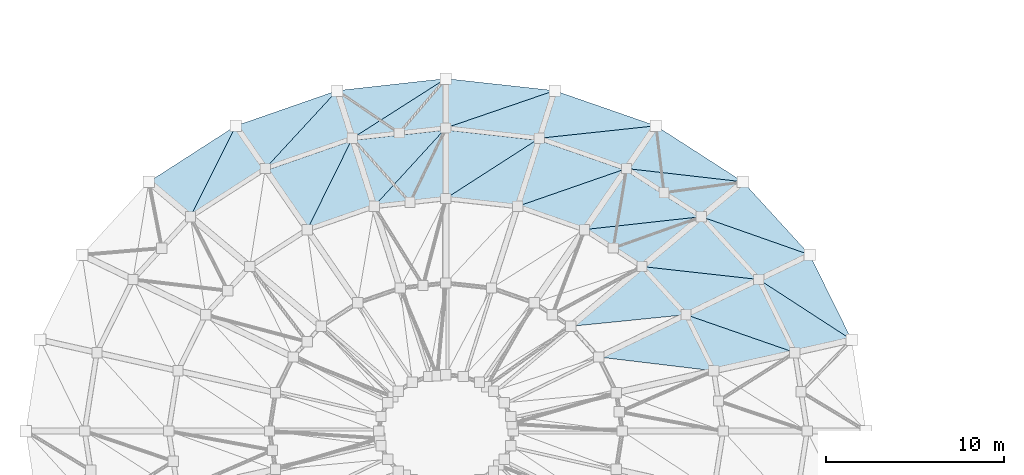
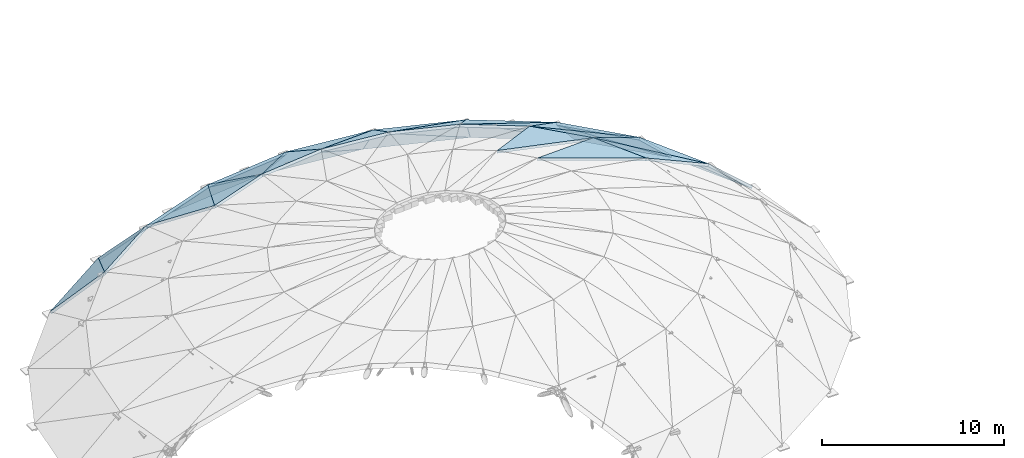
# One storey, part 8 of 11: 32 slabs.
"""IFC4 building model written with IfcOpenShell, lengths in metres."""

from ifc_helpers import new_model, si_unit, direction, frame, origin, place, context, subcontext, project, spatial, polyline, outline, extrude, material, layer, layer_set, type_object, element, save


model = new_model("IFC4")

# Units and contexts
model_context = context("Model", 3, precision=1e-05, world=origin(), true_north=direction((0.0, 1.0)))
body_context = subcontext(model_context, "Body", "Model", "MODEL_VIEW")
ifc_project = project(units=[si_unit("LENGTHUNIT", "METRE"), si_unit("AREAUNIT", "SQUARE_METRE"), si_unit("VOLUMEUNIT", "CUBIC_METRE"), si_unit("PLANEANGLEUNIT", "RADIAN"), si_unit("MASSUNIT", "GRAM", prefix="KILO")], contexts=[model_context])

# Site, building, storey
site_placement = place(None, origin())
site = spatial("IfcSite", under=ifc_project, at=site_placement, CompositionType="ELEMENT")
building_placement = place(site_placement, origin())
building = spatial("IfcBuilding", under=site, at=building_placement, Name="Parian Resonance Hall", CompositionType="ELEMENT")
storey_placement = place(building_placement, frame((0.0, 0.0, 27.60009765625)))
storey = spatial("IfcBuildingStorey", under=building, at=storey_placement, Name="ROOF", CompositionType="ELEMENT", Elevation=27.60009765625)

# Slabs
ifc_material = material(Name="Concrete C35/45", Category="concrete")
ifc_layer = layer(ifc_material, 0.159912109375)
ifc_layer_set = layer_set([ifc_layer], Name="Concrete C35/45")
slab_type = type_object("IfcSlabType", Name="SLB-DOME-160", PredefinedType="ROOF", material=ifc_layer_set)
slab_1_placement = place(storey_placement, frame((66.7958984375, 49.12451171875, -6.489990234375), z_axis=(0.619669601873, 0.305938105587, 0.722780367791), x_axis=(-0.442697046574, 0.896671246865, 0.0)))
element("IfcSlab", 1, at=slab_1_placement, inside=storey, type_object=slab_type, Name="Main Concert Hall dome roof panel R1-02A", PredefinedType="ROOF", context=body_context, shape_type="SweptSolid", body=[
    extrude(outline(polyline([(0.0, 0.0), (5.325687247911857, -2.220446049250313e-16), (5.349614669149024, 4.398629034851133), (0.0, 0.0)])), origin(), (0.0, 0.0, -1.0), 0.159912109375),
])
slab_2_placement = place(storey_placement, frame((66.7958984375, 49.12451171875, -6.489990234375), z_axis=(0.619672754495, 0.305949838064, 0.722772698658), x_axis=(-0.753561382071, 0.489390123371, 0.43891064079)))
element("IfcSlab", 2, at=slab_2_placement, inside=storey, type_object=slab_type, Name="Main Concert Hall dome roof panel R1-02B", PredefinedType="ROOF", context=body_context, shape_type="SweptSolid", body=[
    extrude(outline(polyline([(0.0, 0.0), (6.925771761660201, 0.0), (3.388086570421104, 2.908744472500953), (0.0, 0.0)])), origin(), (0.0, 0.0, -1.0), 0.159912109375),
])
slab_3_placement = place(storey_placement, frame((64.438232421875, 53.89990234375, -6.489990234375), z_axis=(0.52117244389, 0.476647680124, 0.707945105754), x_axis=(-0.674882684077, 0.737925038695, 0.0)))
element("IfcSlab", 3, at=slab_3_placement, inside=storey, type_object=slab_type, Name="Main Concert Hall dome roof panel R1-03A", PredefinedType="ROOF", context=body_context, shape_type="SweptSolid", body=[
    extrude(outline(polyline([(0.0, 0.0), (5.557244791931365, -2.220446049250313e-16), (5.6875736862013655, 4.304027988520998), (0.0, 0.0)])), origin(), (0.0, 0.0, -1.0), 0.159912109375),
])
slab_4_placement = place(storey_placement, frame((64.438232421875, 53.89990234375, -6.489990234375), z_axis=(0.521172881275, 0.476686473341, 0.707918663377), x_axis=(-0.853400415025, 0.300120922467, 0.426186770715)))
element("IfcSlab", 4, at=slab_4_placement, inside=storey, type_object=slab_type, Name="Main Concert Hall dome roof panel R1-03B", PredefinedType="ROOF", context=body_context, shape_type="SweptSolid", body=[
    extrude(outline(polyline([(0.0, 0.0), (7.13254171820553, 4.440892098500626e-16), (3.321415495465745, 2.8838704919261735), (0.0, 0.0)])), origin(), (0.0, 0.0, -1.0), 0.159912109375),
])
slab_5_placement = place(storey_placement, frame((60.687744140625, 58.000732421875, -6.489990234375), z_axis=(0.390828024335, 0.607105605772, 0.691864321117), x_axis=(-0.840834423093, 0.541292409832, 0.0)))
element("IfcSlab", 5, at=slab_5_placement, inside=storey, type_object=slab_type, Name="Main Concert Hall dome roof panel R1-04A", PredefinedType="ROOF", context=body_context, shape_type="SweptSolid", body=[
    extrude(outline(polyline([(0.0, 0.0), (5.812910578183155, 0.0), (5.902607422714244, 4.21008171421442), (0.0, 0.0)])), origin(), (0.0, 0.0, -1.0), 0.159912109375),
])
slab_6_placement = place(storey_placement, frame((60.687744140625, 58.000732421875, -6.489990234375), z_axis=(0.390832225607, 0.607087552172, 0.691877789371), x_axis=(-0.902014402417, 0.102872811415, 0.419269844495)))
element("IfcSlab", 6, at=slab_6_placement, inside=storey, type_object=slab_type, Name="Main Concert Hall dome roof panel R1-04B", PredefinedType="ROOF", context=body_context, shape_type="SweptSolid", body=[
    extrude(outline(polyline([(0.0, 0.0), (7.250211198788897, 2.220446049250313e-16), (3.1803322417215805, 2.9029518388908793), (0.0, 0.0)])), origin(), (0.0, 0.0, -1.0), 0.159912109375),
])
slab_7_placement = place(storey_placement, frame((55.800048828125, 61.147216796875, -6.489990234375), z_axis=(0.241052395654, 0.693642995837, 0.678787991111), x_axis=(-0.944587494416, 0.328259752928, 0.0)))
element("IfcSlab", 7, at=slab_7_placement, inside=storey, type_object=slab_type, Name="Main Concert Hall dome roof panel R1-05A", PredefinedType="ROOF", context=body_context, shape_type="SweptSolid", body=[
    extrude(outline(polyline([(0.0, 0.0), (6.025799160899435, 0.0), (5.954721349029344, 4.139524634468421), (0.0, 0.0)])), origin(), (0.0, 0.0, -1.0), 0.159912109375),
])
slab_8_placement = place(storey_placement, frame((55.800048828125, 61.147216796875, -6.489990234375), z_axis=(0.241058389175, 0.693630984924, 0.678798136239), x_axis=(-0.902777264177, -0.09644840444, 0.419155003031)))
element("IfcSlab", 8, at=slab_8_placement, inside=storey, type_object=slab_type, Name="Main Concert Hall dome roof panel R1-05B", PredefinedType="ROOF", context=body_context, shape_type="SweptSolid", body=[
    extrude(outline(polyline([(0.0, 0.0), (7.252197635472765, -4.440892098500626e-16), (2.9971606079785453, 2.9580165405661853), (0.0, 0.0)])), origin(), (0.0, 0.0, -1.0), 0.159912109375),
])
slab_9_placement = place(storey_placement, frame((50.108154296875, 63.125244140625, -6.489990234375), z_axis=(0.081361000053, 0.7364583431, 0.671572406036), x_axis=(-0.993952820696, 0.109807969799, 0.0)))
element("IfcSlab", 9, at=slab_9_placement, inside=storey, type_object=slab_type, Name="Main Concert Hall dome roof panel R1-06A", PredefinedType="ROOF", context=body_context, shape_type="SweptSolid", body=[
    extrude(outline(polyline([(0.0, 0.0), (6.145316125367718, -5.551115123125783e-17), (5.840931435646422, 4.1026254441172165), (0.0, 0.0)])), origin(), (0.0, 0.0, -1.0), 0.159912109375),
])
slab_10_placement = place(storey_placement, frame((50.108154296875, 63.125244140625, -6.489990234375), z_axis=(0.081360926314, 0.736458431038, 0.671572318535), x_axis=(-0.855748925928, -0.293812033803, 0.425873531186)))
element("IfcSlab", 10, at=slab_10_placement, inside=storey, type_object=slab_type, Name="Main Concert Hall dome roof panel R1-06B", PredefinedType="ROOF", context=body_context, shape_type="SweptSolid", body=[
    extrude(outline(polyline([(0.0, 0.0), (7.137787862541207, -2.220446049250313e-16), (2.813104589609881, 3.0376238777417743), (0.0, 0.0)])), origin(), (0.0, 0.0, -1.0), 0.159912109375),
])
slab_11_placement = place(storey_placement, frame((44.0, 63.800048828125, -6.489990234375), z_axis=(-0.081361007933, 0.736458414425, 0.671572326865), x_axis=(-0.993952820696, -0.109807969799, 0.0)))
element("IfcSlab", 11, at=slab_11_placement, inside=storey, type_object=slab_type, Name="Main Concert Hall dome roof panel R1-07A", PredefinedType="ROOF", context=body_context, shape_type="SweptSolid", body=[
    extrude(outline(polyline([(0.0, 0.0), (6.145316125367718, -5.551115123125783e-17), (5.589272979344704, 4.1026250467806555), (0.0, 0.0)])), origin(), (0.0, 0.0, -1.0), 0.159912109375),
])
slab_12_placement = place(storey_placement, frame((44.0, 63.800048828125, -6.489990234375), z_axis=(-0.081360917152, 0.7364583481, 0.671572410596), x_axis=(-0.75763098785, -0.483502095843, 0.43843016498)))
element("IfcSlab", 12, at=slab_12_placement, inside=storey, type_object=slab_type, Name="Main Concert Hall dome roof panel R1-07B", PredefinedType="ROOF", context=body_context, shape_type="SweptSolid", body=[
    extrude(outline(polyline([(0.0, 0.0), (6.933361717962276, -2.220446049250313e-16), (2.6729923780216516, 3.127186806235418), (0.0, 0.0)])), origin(), (0.0, 0.0, -1.0), 0.159912109375),
])
slab_13_placement = place(storey_placement, frame((37.891845703125, 63.125244140625, -6.489990234375), z_axis=(-0.241049716634, 0.693635286794, 0.678796820135), x_axis=(-0.944587494416, -0.328259752928, 0.0)))
element("IfcSlab", 13, at=slab_13_placement, inside=storey, type_object=slab_type, Name="Main Concert Hall dome roof panel R1-08A", PredefinedType="ROOF", context=body_context, shape_type="SweptSolid", body=[
    extrude(outline(polyline([(0.0, 0.0), (6.025799160899435, 0.0), (5.253278305387904, 4.139570641030444), (0.0, 0.0)])), origin(), (0.0, 0.0, -1.0), 0.159912109375),
])
slab_14_placement = place(storey_placement, frame((37.891845703125, 63.125244140625, -6.489990234375), z_axis=(-0.241061504421, 0.693639948859, 0.678787869981), x_axis=(-0.60401178601, -0.654677668586, 0.454496328495)))
element("IfcSlab", 14, at=slab_14_placement, inside=storey, type_object=slab_type, Name="Main Concert Hall dome roof panel R1-08B", PredefinedType="ROOF", context=body_context, shape_type="SweptSolid", body=[
    extrude(outline(polyline([(0.0, 0.0), (6.688271678538515, -2.220446049250313e-16), (2.6179029519247647, 3.207382170714109), (0.0, 0.0)])), origin(), (0.0, 0.0, -1.0), 0.159912109375),
])
slab_15_placement = place(storey_placement, frame((32.199951171875, 61.147216796875, -6.489990234375), z_axis=(-0.390822107774, 0.607096415087, 0.691875727904), x_axis=(-0.840834423093, -0.541292409832, 0.0)))
element("IfcSlab", 15, at=slab_15_placement, inside=storey, type_object=slab_type, Name="Main Concert Hall dome roof panel R1-09A", PredefinedType="ROOF", context=body_context, shape_type="SweptSolid", body=[
    extrude(outline(polyline([(0.0, 0.0), (5.812910578183155, 2.220446049250313e-16), (4.909407484807627, 4.2101454496150845), (0.0, 0.0)])), origin(), (0.0, 0.0, -1.0), 0.159912109375),
])
slab_16_placement = place(storey_placement, frame((32.199951171875, 61.147216796875, -6.489990234375), z_axis=(-0.390839105515, 0.607098238871, 0.691864525728), x_axis=(-0.394479859951, -0.789601457473, 0.470016147009)))
element("IfcSlab", 16, at=slab_16_placement, inside=storey, type_object=slab_type, Name="Main Concert Hall dome roof panel R1-09B", PredefinedType="ROOF", context=body_context, shape_type="SweptSolid", body=[
    extrude(outline(polyline([(0.0, 0.0), (6.467426579312651, -4.440892098500626e-16), (2.6725773841452654, 3.2542531693211445), (0.0, 0.0)])), origin(), (0.0, 0.0, -1.0), 0.159912109375),
])
slab_17_placement = place(storey_placement, frame((63.6044921875, 48.4072265625, -3.4501953125), z_axis=(0.445487850061, 0.219949859982, 0.867849430801), x_axis=(-0.442708885431, 0.896665401786, 0.0)))
element("IfcSlab", 17, at=slab_17_placement, inside=storey, type_object=slab_type, Name="Main Concert Hall dome roof panel R2-02A", PredefinedType="ROOF", context=body_context, shape_type="SweptSolid", body=[
    extrude(outline(polyline([(0.0, 0.0), (4.579957523669543, 0.0), (4.614214960262486, 5.233403356127788), (0.0, 0.0)])), origin(), (0.0, 0.0, -1.0), 0.159912109375),
])
slab_18_placement = place(storey_placement, frame((63.6044921875, 48.4072265625, -3.4501953125), z_axis=(0.445487627997, 0.219948732832, 0.867849830459), x_axis=(-0.87647613427, 0.304814101151, 0.372663319625)))
element("IfcSlab", 18, at=slab_18_placement, inside=storey, type_object=slab_type, Name="Main Concert Hall dome roof panel R2-02B", PredefinedType="ROOF", context=body_context, shape_type="SweptSolid", body=[
    extrude(outline(polyline([(0.0, 0.0), (6.9770688965667915, -1.1102230246251565e-16), (4.652408514316593, 2.6366185010433854), (0.0, 0.0)])), origin(), (0.0, 0.0, -1.0), 0.159912109375),
])
slab_19_placement = place(storey_placement, frame((61.576904296875, 52.513916015625, -3.4501953125), z_axis=(0.378427647117, 0.346125723344, 0.858480925552), x_axis=(-0.674912283642, 0.737897966788, 0.0)))
element("IfcSlab", 19, at=slab_19_placement, inside=storey, type_object=slab_type, Name="Main Concert Hall dome roof panel R2-03A", PredefinedType="ROOF", context=body_context, shape_type="SweptSolid", body=[
    extrude(outline(polyline([(0.0, 0.0), (4.779266899834884, 0.0), (4.965570399905479, 5.069943458447083), (0.0, 0.0)])), origin(), (0.0, 0.0, -1.0), 0.159912109375),
])
slab_20_placement = place(storey_placement, frame((61.576904296875, 52.513916015625, -3.4501953125), z_axis=(0.37842863285, 0.346102102514, 0.858490014196), x_axis=(-0.924812145276, 0.102382298354, 0.366388265278)))
element("IfcSlab", 20, at=slab_20_placement, inside=storey, type_object=slab_type, Name="Main Concert Hall dome roof panel R2-03B", PredefinedType="ROOF", context=body_context, shape_type="SweptSolid", body=[
    extrude(outline(polyline([(0.0, 0.0), (7.096563680279902, 1.1102230246251565e-16), (4.530235433086178, 2.6204295794205206), (0.0, 0.0)])), origin(), (0.0, 0.0, -1.0), 0.159912109375),
])
slab_21_placement = place(storey_placement, frame((58.351318359375, 56.04052734375, -3.4501953125), z_axis=(0.286852143249, 0.445573200138, 0.848045029012), x_axis=(-0.84082444834, 0.54130790413, 0.0)))
element("IfcSlab", 21, at=slab_21_placement, inside=storey, type_object=slab_type, Name="Main Concert Hall dome roof panel R2-04A", PredefinedType="ROOF", context=body_context, shape_type="SweptSolid", body=[
    extrude(outline(polyline([(0.0, 0.0), (4.999104330187486, 0.0), (5.126950274607668, 4.906546616295962), (0.0, 0.0)])), origin(), (0.0, 0.0, -1.0), 0.159912109375),
])
slab_22_placement = place(storey_placement, frame((58.351318359375, 56.04052734375, -3.4501953125), z_axis=(0.286849115746, 0.445583983818, 0.848040387104), x_axis=(-0.924859377949, -0.101936477955, 0.366393348032)))
element("IfcSlab", 22, at=slab_22_placement, inside=storey, type_object=slab_type, Name="Main Concert Hall dome roof panel R2-04B", PredefinedType="ROOF", context=body_context, shape_type="SweptSolid", body=[
    extrude(outline(polyline([(0.0, 0.0), (7.096465233916461, -1.1102230246251565e-16), (4.324713456730808, 2.6525250579703097), (0.0, 0.0)])), origin(), (0.0, 0.0, -1.0), 0.159912109375),
])
slab_23_placement = place(storey_placement, frame((54.14794921875, 58.74658203125, -3.4501953125), z_axis=(0.178471496196, 0.513540972838, 0.839299466378), x_axis=(-0.944583201085, 0.328272106991, 0.0)))
element("IfcSlab", 23, at=slab_23_placement, inside=storey, type_object=slab_type, Name="Main Concert Hall dome roof panel R2-05A", PredefinedType="ROOF", context=body_context, shape_type="SweptSolid", body=[
    extrude(outline(polyline([(0.0, 0.0), (5.182200493961035, 0.0), (5.080323212419897, 4.782497789224821), (0.0, 0.0)])), origin(), (0.0, 0.0, -1.0), 0.159912109375),
])
slab_24_placement = place(storey_placement, frame((54.14794921875, 58.74658203125, -3.4501953125), z_axis=(0.178482549537, 0.513521127472, 0.839309258349), x_axis=(-0.876628775796, -0.304386449553, 0.372653832364)))
element("IfcSlab", 24, at=slab_24_placement, inside=storey, type_object=slab_type, Name="Main Concert Hall dome roof panel R2-05B", PredefinedType="ROOF", context=body_context, shape_type="SweptSolid", body=[
    extrude(outline(polyline([(0.0, 0.0), (6.977246523277841, 0.0), (4.081536503512632, 2.726096853357181), (0.0, 0.0)])), origin(), (0.0, 0.0, -1.0), 0.159912109375),
])
slab_25_placement = place(storey_placement, frame((49.2529296875, 60.44775390625, -3.4501953125), z_axis=(0.060524548482, 0.547852833459, 0.834382437436), x_axis=(-0.993952832989, 0.109807858525, 0.0)))
element("IfcSlab", 25, at=slab_25_placement, inside=storey, type_object=slab_type, Name="Main Concert Hall dome roof panel R2-06A", PredefinedType="ROOF", context=body_context, shape_type="SweptSolid", body=[
    extrude(outline(polyline([(0.0, 0.0), (5.284888289623441, 0.0), (4.850053459235713, 4.717278571257404), (0.0, 0.0)])), origin(), (0.0, 0.0, -1.0), 0.159912109375),
])
slab_26_placement = place(storey_placement, frame((49.2529296875, 60.44775390625, -3.4501953125), z_axis=(0.060515975073, 0.547862004592, 0.834377037487), x_axis=(-0.776397129933, -0.499519681616, 0.384301423768)))
element("IfcSlab", 26, at=slab_26_placement, inside=storey, type_object=slab_type, Name="Main Concert Hall dome roof panel R2-06B", PredefinedType="ROOF", context=body_context, shape_type="SweptSolid", body=[
    extrude(outline(polyline([(0.0, 0.0), (6.765776797699479, 0.0), (3.8581786757970504, 2.8279182078093124), (0.0, 0.0)])), origin(), (0.0, 0.0, -1.0), 0.159912109375),
])
slab_27_placement = place(storey_placement, frame((44.0, 61.028076171875, -3.4501953125), z_axis=(-0.060525299127, 0.547859628106, 0.834377921602), x_axis=(-0.993952832989, -0.109807858525, 0.0)))
element("IfcSlab", 27, at=slab_27_placement, inside=storey, type_object=slab_type, Name="Main Concert Hall dome roof panel R2-07A", PredefinedType="ROOF", context=body_context, shape_type="SweptSolid", body=[
    extrude(outline(polyline([(0.0, 0.0), (5.284888289623441, 0.0), (4.490848664638484, 4.717220066775373), (0.0, 0.0)])), origin(), (0.0, 0.0, -1.0), 0.159912109375),
])
slab_28_placement = place(storey_placement, frame((44.0, 61.028076171875, -3.4501953125), z_axis=(-0.060514997153, 0.547853151306, 0.83438292152), x_axis=(-0.618986646287, -0.676375888427, 0.399213212799)))
element("IfcSlab", 28, at=slab_28_placement, inside=storey, type_object=slab_type, Name="Main Concert Hall dome roof panel R2-07B", PredefinedType="ROOF", context=body_context, shape_type="SweptSolid", body=[
    extrude(outline(polyline([(0.0, 0.0), (6.513055111625689, -1.1102230246251565e-16), (3.716415436180972, 2.937695483585462), (0.0, 0.0)])), origin(), (0.0, 0.0, -1.0), 0.159912109375),
])
slab_29_placement = place(storey_placement, frame((38.7470703125, 60.44775390625, -3.4501953125), z_axis=(-0.17846761139, 0.513529794543, 0.839307131985), x_axis=(-0.944583201085, -0.328272106991, 0.0)))
element("IfcSlab", 29, at=slab_29_placement, inside=storey, type_object=slab_type, Name="Main Concert Hall dome roof panel R2-08A", PredefinedType="ROOF", context=body_context, shape_type="SweptSolid", body=[
    extrude(outline(polyline([(0.0, 0.0), (5.182200493961035, 0.0), (4.078903879021692, 4.782601892574108), (0.0, 0.0)])), origin(), (0.0, 0.0, -1.0), 0.159912109375),
])
slab_30_placement = place(storey_placement, frame((38.7470703125, 60.44775390625, -3.4501953125), z_axis=(-0.178487612003, 0.513535692949, 0.839299269885), x_axis=(-0.403317588851, -0.816228729748, 0.413649106439)))
element("IfcSlab", 30, at=slab_30_placement, inside=storey, type_object=slab_type, Name="Main Concert Hall dome roof panel R2-08B", PredefinedType="ROOF", context=body_context, shape_type="SweptSolid", body=[
    extrude(outline(polyline([(0.0, 0.0), (6.285756733850878, -6.661338147750939e-16), (3.704936668826436, 3.0259062054894867), (0.0, 0.0)])), origin(), (0.0, 0.0, -1.0), 0.159912109375),
])
slab_31_placement = place(storey_placement, frame((59.04541015625, 47.382080078125, -0.85009765625), z_axis=(0.281201307646, 0.138836338879, 0.949552681838), x_axis=(-0.442707238803, 0.896666214771, 0.0)))
element("IfcSlab", 31, at=slab_31_placement, inside=storey, type_object=slab_type, Name="Main Concert Hall dome roof panel R3-02A", PredefinedType="ROOF", context=body_context, shape_type="SweptSolid", body=[
    extrude(outline(polyline([(0.0, 0.0), (3.5150822199271383, -2.220446049250313e-16), (3.5562243683363417, 5.739813170256576), (0.0, 0.0)])), origin(), (0.0, 0.0, -1.0), 0.159912109375),
])
slab_32_placement = place(storey_placement, frame((57.4892578125, 50.533935546875, -0.85009765625), z_axis=(0.240431344186, 0.219892963982, 0.945431040914), x_axis=(-0.674886246736, 0.737921780385, 0.0)))
element("IfcSlab", 32, at=slab_32_placement, inside=storey, type_object=slab_type, Name="Main Concert Hall dome roof panel R3-03A", PredefinedType="ROOF", context=body_context, shape_type="SweptSolid", body=[
    extrude(outline(polyline([(0.0, 0.0), (3.6677911408702673, 0.0), (3.891299786933998, 5.524634238205889), (0.0, 0.0)])), origin(), (0.0, 0.0, -1.0), 0.159912109375),
])

save(model, "model.ifc")
